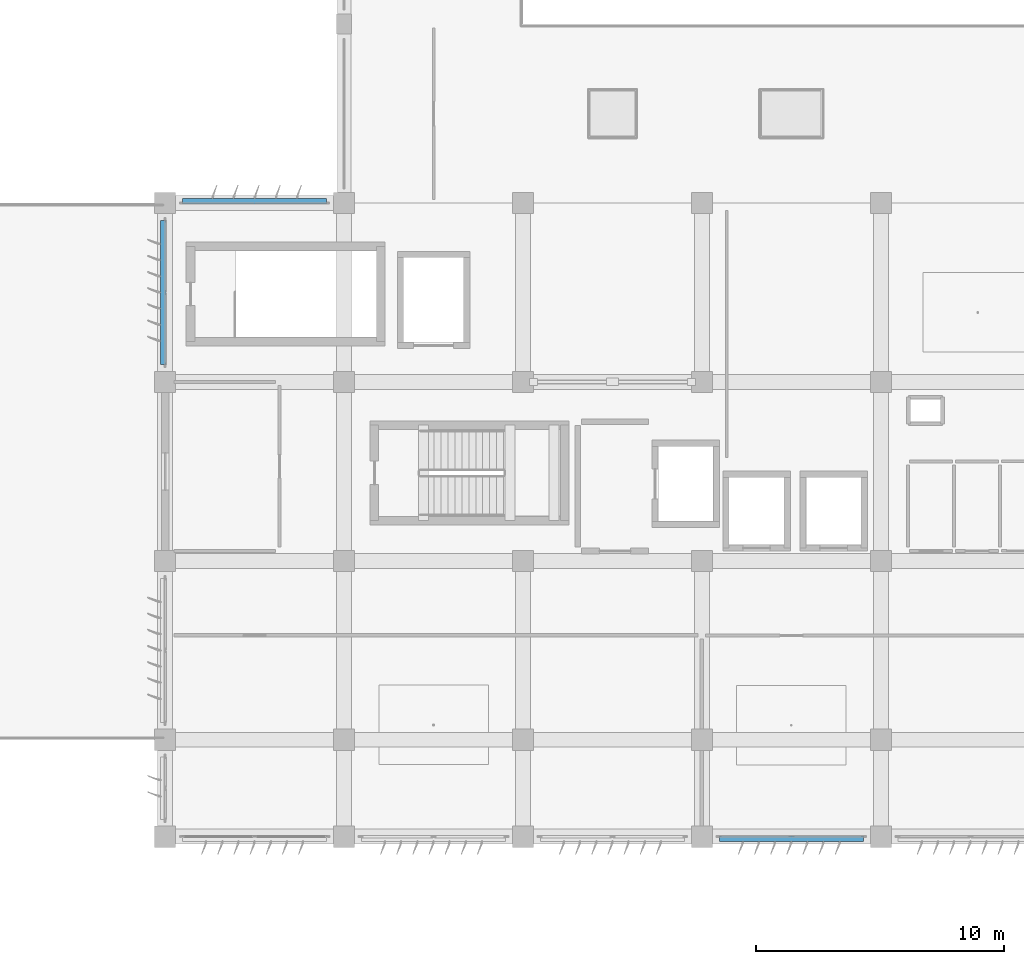
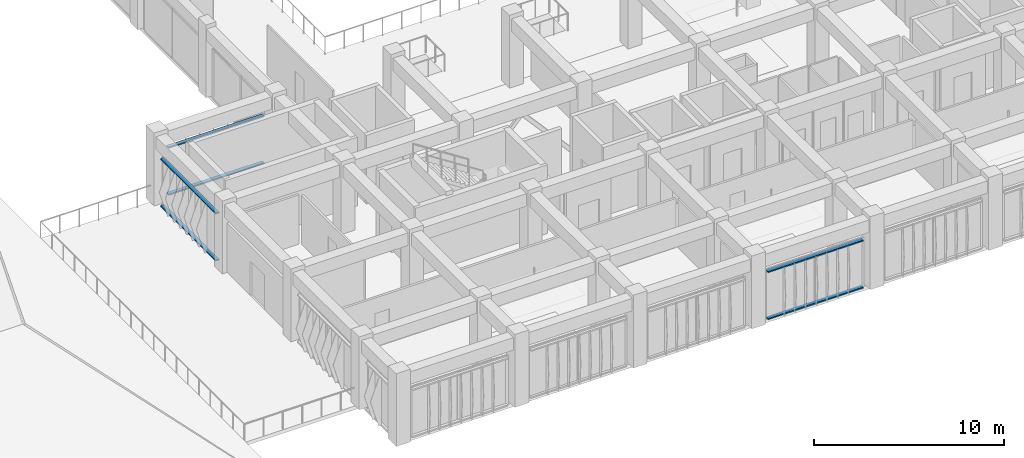
# One storey, part 37 of 55: 6 discrete accessories.
"""IFC4 building model written with IfcOpenShell, lengths in metres."""

import ifcopenshell
import ifcopenshell.guid

model = None  # the IFC model being written
_history = None  # IfcOwnerHistory: only IFC2X3 demands one
_inside = {}  # id of a spatial element -> (the spatial element, [elements in it])
_under = {}  # id of a project, library or spatial element -> (it, [spatial elements below it])
_declared = {}  # id of a project -> (the project, [libraries it declares])
_typed = {}  # id of a type object -> (the type object, [elements of that type])
_made_of = {}  # id of a material, layer set ... -> (it, [elements and type objects made of it])


def new_model(schema):
    """Start an empty IFC model of exactly this schema.

    Asked for "IFC4X3", IfcOpenShell would pick the latest addendum, in which some entities
    have other attributes; the version numbers below select the first issue.
    IFC2X3 requires an IfcOwnerHistory on every rooted entity: one is made here for all.
    """
    global model, _history
    if schema == "IFC4X3":
        model = ifcopenshell.file(schema_version=(4, 3, 0, 0))
    else:
        model = ifcopenshell.file(schema=schema)
    _inside.clear()
    _under.clear()
    _declared.clear()
    _typed.clear()
    _made_of.clear()
    _history = None
    if model.schema == "IFC2X3":
        org = make("IfcOrganization", Name="unknown")
        user = make(
            "IfcPersonAndOrganization",
            ThePerson=make("IfcPerson", FamilyName="unknown"),
            TheOrganization=org,
        )
        app = make(
            "IfcApplication",
            ApplicationDeveloper=org,
            Version="unknown",
            ApplicationFullName="unknown",
            ApplicationIdentifier="unknown",
        )
        _history = make(
            "IfcOwnerHistory",
            OwningUser=user,
            OwningApplication=app,
            ChangeAction="ADDED",
            CreationDate=0,
        )
    return model


def make(cls, **values):
    """One entity of the class cls with the attributes given. An attribute that is None is left unset."""
    return model.create_entity(
        cls, **{name: value for name, value in values.items() if value is not None}
    )


def rooted(cls, **values):
    """An entity with a GlobalId (a new one), such as an element, a storey or a relation."""
    return make(cls, GlobalId=ifcopenshell.guid.new(), OwnerHistory=_history, **values)


def si_unit(unit_type, name, prefix=None):
    """IfcSIUnit, for example si_unit("LENGTHUNIT", "METRE", prefix="MILLI")."""
    return make("IfcSIUnit", UnitType=unit_type, Prefix=prefix, Name=name)


def assignment(units):
    """IfcUnitAssignment: the units of a project."""
    return None if units is None else make("IfcUnitAssignment", Units=units)


def point(xyz):
    """IfcCartesianPoint."""
    return None if xyz is None else make("IfcCartesianPoint", Coordinates=xyz)


def direction(xyz):
    """IfcDirection."""
    return None if xyz is None else make("IfcDirection", DirectionRatios=xyz)


def frame(location, z_axis=None, x_axis=None):
    """IfcAxis2Placement3D, a coordinate frame: its origin and axes. An axis left out is left unset."""
    return make(
        "IfcAxis2Placement3D",
        Location=point(location),
        Axis=direction(z_axis),
        RefDirection=direction(x_axis),
    )


def frame_2d(location, x_axis=None):
    """IfcAxis2Placement2D, a coordinate frame in the plane: its origin and x axis."""
    return make(
        "IfcAxis2Placement2D", Location=point(location), RefDirection=direction(x_axis)
    )


def origin():
    """The frame at (0, 0, 0) with its axes left unset."""
    return frame((0.0, 0.0, 0.0))


def origin_2d():
    """The frame at (0, 0) in the plane with its x axis left unset."""
    return frame_2d((0.0, 0.0))


def place(relative_to, where):
    """IfcLocalPlacement: puts the frame where relative to a parent placement (None: the world)."""
    return make(
        "IfcLocalPlacement", PlacementRelTo=relative_to, RelativePlacement=where
    )


def context(
    kind, dimensions, precision=None, world=None, true_north=None, identifier=None
):
    """IfcGeometricRepresentationContext, for example the 3D "Model" context."""
    return make(
        "IfcGeometricRepresentationContext",
        ContextIdentifier=identifier,
        ContextType=kind,
        CoordinateSpaceDimension=dimensions,
        Precision=precision,
        WorldCoordinateSystem=world,
        TrueNorth=true_north,
    )


def subcontext(parent, identifier, kind, view, scale=None):
    """IfcGeometricRepresentationSubContext, for example "Body" below "Model"."""
    return make(
        "IfcGeometricRepresentationSubContext",
        ContextIdentifier=identifier,
        ContextType=kind,
        ParentContext=parent,
        TargetScale=scale,
        TargetView=view,
    )


def project(units=None, contexts=None):
    """IfcProject with its units and contexts."""
    return rooted(
        "IfcProject",
        Name="project",
        RepresentationContexts=contexts,
        UnitsInContext=assignment(units),
    )


def spatial(cls, under=None, at=None, **own):
    """A site, building, storey or space (cls), placed at a placement, below another one or the project."""
    s = rooted(cls, ObjectPlacement=at, **own)
    if under is not None:
        _under.setdefault(under.id(), (under, []))[1].append(s)
    return s


def profile(cls, at=None, kind="AREA", **sizes):
    """A parametric profile (cls). Its sizes go by their IFC names, for example OverallWidth=200.0."""
    return make(cls, ProfileType=kind, Position=at, **sizes)


def rectangle(**sizes):
    """IfcRectangleProfileDef."""
    return profile("IfcRectangleProfileDef", **sizes)


def extrude(swept, where, along, depth):
    """IfcExtrudedAreaSolid: the profile swept, set in the frame where, extruded along a direction by depth."""
    return make(
        "IfcExtrudedAreaSolid",
        SweptArea=swept,
        Position=where,
        ExtrudedDirection=direction(along),
        Depth=depth,
    )


def shape(context_of_items, identifier, shape_type, items):
    """IfcShapeRepresentation: the items that make up one representation, for example the "Body"."""
    return make(
        "IfcShapeRepresentation",
        ContextOfItems=context_of_items,
        RepresentationIdentifier=identifier,
        RepresentationType=shape_type,
        Items=items,
    )


def material(Name=None, Category=None):
    """IfcMaterial."""
    return make("IfcMaterial", Name=Name, Category=Category)


def made_of(thing, what):
    """Note that an element or type object is made of a material, layer set ...; save() writes the relation."""
    if what is not None:
        _made_of.setdefault(what.id(), (what, []))[1].append(thing)
    return thing


def type_object(cls, material=None, **own):
    """A type object (cls), such as IfcWallType, which elements share."""
    return made_of(rooted(cls, **own), material)


def element(
    cls,
    number,
    at=None,
    inside=None,
    cuts=None,
    type_object=None,
    material=None,
    context=None,
    identifier="Body",
    shape_type=None,
    held_by="IfcProductDefinitionShape",
    body=None,
    shapes=None,
    **own,
):
    """One element of the class cls, such as IfcWall. Its Tag is "e" and its number.

    at: its placement. inside: the storey or other place that contains it. cuts: it is an
    opening in that element (IfcRelVoidsElement). A single representation is given by context,
    identifier, shape_type and body (its items); several are given by shapes. held_by: the class
    of the entity that holds the representations. save() writes the other relations.
    """
    e = rooted(cls, Tag="e%d" % number, ObjectPlacement=at, **own)
    if body is not None:
        shapes = [shape(context, identifier, shape_type, body)]
    if shapes is not None:
        e.Representation = make(held_by, Representations=shapes)
    if inside is not None:
        _inside.setdefault(inside.id(), (inside, []))[1].append(e)
    if cuts is not None:
        rooted(
            "IfcRelVoidsElement", RelatingBuildingElement=cuts, RelatedOpeningElement=e
        )
    if type_object is not None:
        _typed.setdefault(type_object.id(), (type_object, []))[1].append(e)
    return made_of(e, material)


def aggregate(whole, parts):
    """IfcRelAggregates: a whole, such as a stair, and the parts it consists of."""
    return rooted("IfcRelAggregates", RelatingObject=whole, RelatedObjects=parts)


def save(model, path):
    """Write the relations noted so far, then the file.

    IfcRelAggregates (storeys below a building ...), IfcRelContainedInSpatialStructure (elements
    in a storey), IfcRelDefinesByType, IfcRelAssociatesMaterial and IfcRelDeclares: one each for
    every whole, place, type object, material and project.
    """
    for whole, parts in _under.values():
        aggregate(whole, parts)
    for where, things in _inside.values():
        rooted(
            "IfcRelContainedInSpatialStructure",
            RelatedElements=things,
            RelatingStructure=where,
        )
    for kind, things in _typed.values():
        rooted("IfcRelDefinesByType", RelatedObjects=things, RelatingType=kind)
    for what, things in _made_of.values():
        rooted("IfcRelAssociatesMaterial", RelatedObjects=things, RelatingMaterial=what)
    for by, libraries in _declared.values():
        rooted("IfcRelDeclares", RelatingContext=by, RelatedDefinitions=libraries)
    model.write(path)


model = new_model("IFC4")

# Units and contexts
model_context = context("Model", 3, precision=1e-05, world=origin(), true_north=direction((0.0, 1.0)))
body_context = subcontext(model_context, "Body", "Model", "MODEL_VIEW")
ifc_project = project(units=[si_unit("LENGTHUNIT", "METRE"), si_unit("AREAUNIT", "SQUARE_METRE"), si_unit("VOLUMEUNIT", "CUBIC_METRE"), si_unit("PLANEANGLEUNIT", "RADIAN"), si_unit("MASSUNIT", "GRAM", prefix="KILO")], contexts=[model_context])

# Site, building, storey
site_placement = place(None, origin())
site = spatial("IfcSite", under=ifc_project, at=site_placement, CompositionType="ELEMENT")
building_placement = place(site_placement, origin())
building = spatial("IfcBuilding", under=site, at=building_placement, Name="Kazehaya Institute of Natural Sciences", CompositionType="ELEMENT")
storey_placement = place(building_placement, frame((0.0, 0.0, 15.1201171875)))
storey = spatial("IfcBuildingStorey", under=building, at=storey_placement, Name="L03", CompositionType="ELEMENT", Elevation=15.1201171875)

# Discrete accessories
ifc_material = material(Name="Aluminium alloy A6063S-T5", Category="aluminium")
discrete_accessory_type = type_object("IfcDiscreteAccessoryType", Name="ACC-BRK-01", PredefinedType="BRACKET", material=ifc_material)
for number, where, z_axis, x_axis, name in (
    (1, (79.800048828125, 10.02490234375, 0.039794921875), (0.0, 0.0, 1.0), (-1.0, 0.0, 0.0), "L03 fin support outrigger rail 1"),
    (2, (79.800048828125, 10.02490234375, 3.059814453125), (0.0, 0.0, 1.0), (-1.0, 0.0, 0.0), "L03 fin support outrigger rail 2"),
    (3, (58.199951171875, 35.675048828125, 0.039794921875), (0.0, 0.0, 1.0), (1.0, 0.0, 0.0), "L03 fin support outrigger rail 1"),
    (4, (58.199951171875, 35.675048828125, 3.059814453125), (0.0, 0.0, 1.0), (1.0, 0.0, 0.0), "L03 fin support outrigger rail 2"),
    (5, (54.52490234375, 32.0, 0.039794921875), (0.0, 0.0, 1.0), (0.0, 1.0, 0.0), "L03 fin support outrigger rail 1"),
    (6, (54.52490234375, 32.0, 3.059814453125), (0.0, 0.0, 1.0), (0.0, 1.0, 0.0), "L03 fin support outrigger rail 2"),
):
    element("IfcDiscreteAccessory", number, at=place(storey_placement, frame(where, z_axis=z_axis, x_axis=x_axis)), inside=storey, type_object=discrete_accessory_type, Name=name, PredefinedType="BRACKET", context=body_context, shape_type="SweptSolid", body=[
        extrude(rectangle(XDim=5.800048828125, YDim=0.219970703125, at=origin_2d()), origin(), (0.0, 0.0, 1.0), 0.080078125),
    ])

save(model, "model.ifc")
